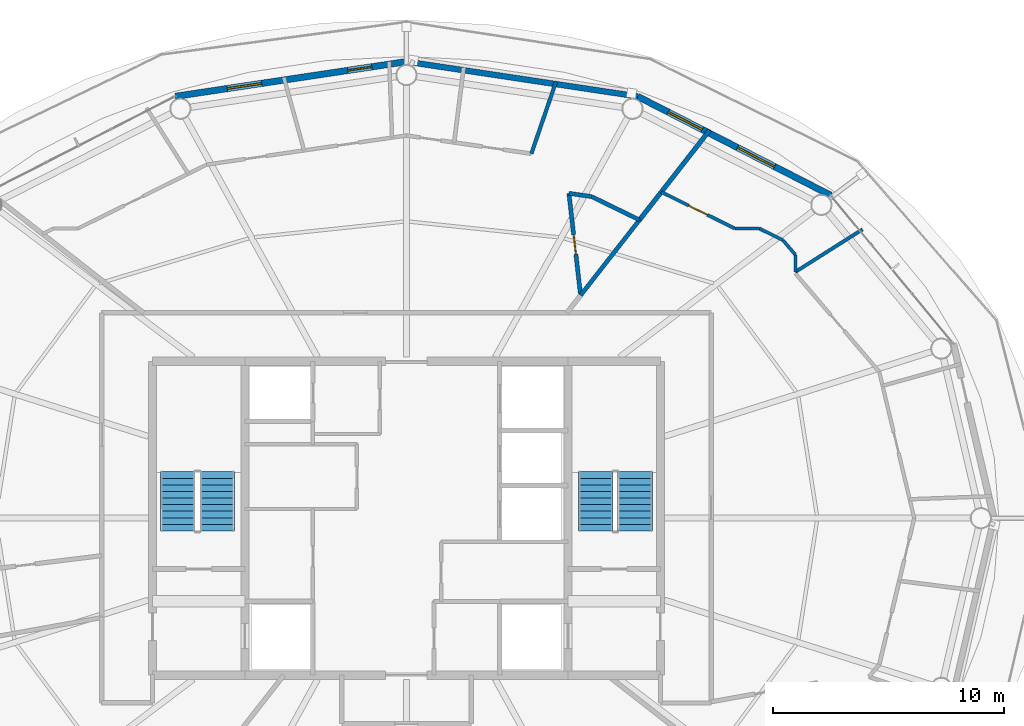
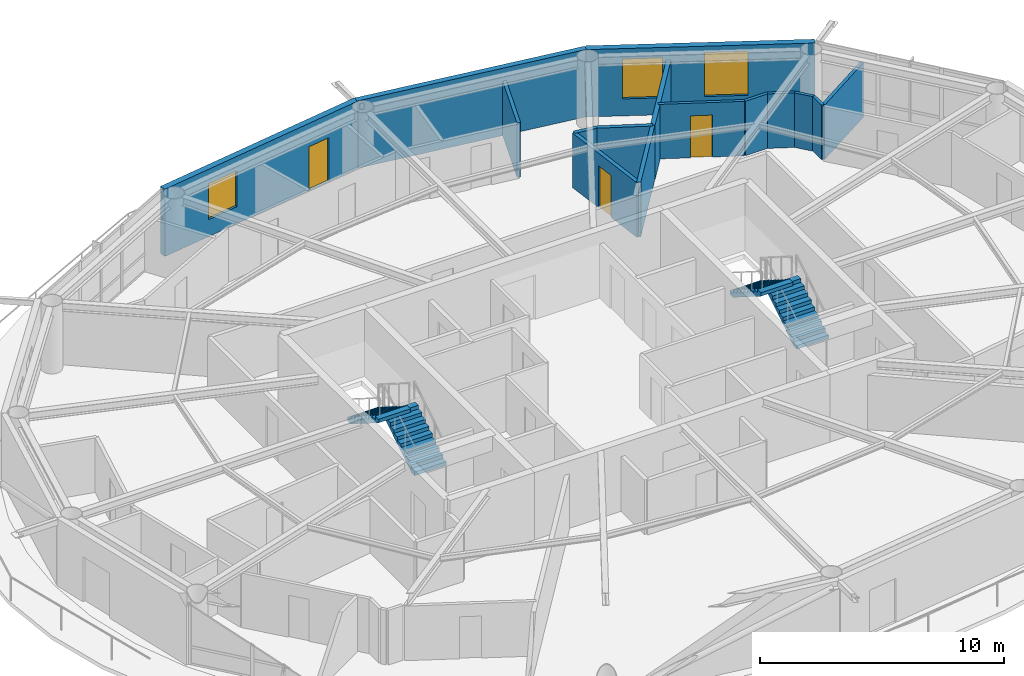
# One storey, part 19 of 22: 15 walls, 4 stair flights, 3 doors, 3 windows, 6 openings, 2 elements without a shape of their own.
"""IFC4 building model written with IfcOpenShell, lengths in metres."""

from ifc_helpers import new_model, si_unit, direction, frame, frame_2d, origin, place, context, subcontext, project, spatial, polyline, rectangle, outline, extrude, material, layer, layer_set, type_object, element, fill, aggregate, save


model = new_model("IFC4")

# Units and contexts
model_context = context("Model", 3, precision=1e-05, world=origin(), true_north=direction((0.0, 1.0)))
body_context = subcontext(model_context, "Body", "Model", "MODEL_VIEW")
ifc_project = project(units=[si_unit("LENGTHUNIT", "METRE"), si_unit("AREAUNIT", "SQUARE_METRE"), si_unit("VOLUMEUNIT", "CUBIC_METRE"), si_unit("PLANEANGLEUNIT", "RADIAN"), si_unit("MASSUNIT", "GRAM", prefix="KILO")], contexts=[model_context])

# Site, building, storey
site_placement = place(None, origin())
site = spatial("IfcSite", under=ifc_project, at=site_placement, CompositionType="ELEMENT")
building_placement = place(site_placement, origin())
building = spatial("IfcBuilding", under=site, at=building_placement, Name="Sarneth Arch Tower", CompositionType="ELEMENT")
storey_placement = place(building_placement, frame((0.0, 0.0, 301.800048828125)))
storey = spatial("IfcBuildingStorey", under=building, at=storey_placement, Name="L78", CompositionType="ELEMENT", Elevation=301.800048828125)

# Wall
ifc_material_1 = material(Name="Extruded terracotta rainscreen on Concrete C40/50 backing", Category="masonry")
ifc_layer_1 = layer(ifc_material_1, 0.25)
ifc_layer_set_1 = layer_set([ifc_layer_1], Name="Extruded terracotta rainscreen on Concrete C40/50 backing")
wall_type_1 = type_object("IfcWallType", Name="WALL-EXT-SPAND-250", PredefinedType="SOLIDWALL", material=ifc_layer_set_1)
wall_1_placement = place(storey_placement, frame((58.0126953125, 60.2744140625, 0.0), z_axis=(0.0, 0.0, 1.0), x_axis=(-0.988882522213, 0.148698881169, 0.0)))
element("IfcWall", 1, at=wall_1_placement, inside=storey, type_object=wall_type_1, Name="L78 Terracotta perimeter wall 04", PredefinedType="SOLIDWALL", context=body_context, shape_type="SweptSolid", body=[
    extrude(rectangle(XDim=10.125244140625, YDim=0.25, at=frame_2d((5.0625, 0.0))), origin(), (0.0, 0.0, 1.0), 3.369873046875),
])

# Wall, openings, windows
ifc_material_2 = material(Name="Extruded terracotta rainscreen on Concrete C40/50 backing", Category="masonry")
ifc_layer_2 = layer(ifc_material_2, 0.280029296875)
ifc_layer_set_2 = layer_set([ifc_layer_2], Name="Extruded terracotta rainscreen on Concrete C40/50 backing")
wall_type_2 = type_object("IfcWallType", Name="WALL-EXT-TERRA-280", PredefinedType="SOLIDWALL", material=ifc_layer_set_2)
wall_2_placement = place(storey_placement, frame((66.382568359375, 55.986572265625, 0.0), z_axis=(0.0, 0.0, 1.0), x_axis=(-0.890007394051, 0.455946091699, 0.0)))
wall_2 = element("IfcWall", 2, at=wall_2_placement, inside=storey, type_object=wall_type_2, Name="L78 Terracotta perimeter wall 03", PredefinedType="SOLIDWALL", context=body_context, shape_type="SweptSolid", body=[
    extrude(rectangle(XDim=9.404296875, YDim=0.280029296875, at=frame_2d((4.7021484375, 0.0))), origin(), (0.0, 0.0, 1.0), 3.369873046875),
])
opening_1_placement = place(wall_2_placement, frame((2.742431640625, 0.0, 0.85009765625)))
opening_1 = element("IfcOpeningElement", 3, at=opening_1_placement, cuts=wall_2, Name="Opening W-04", PredefinedType="OPENING", context=body_context, shape_type="SweptSolid", body=[
    extrude(rectangle(XDim=1.800048828125, YDim=2.199951171875, at=frame_2d((0.89990234375, 1.10009765625))), frame((0.0, 0.14990234375, 0.0), z_axis=(0.0, -1.0, 0.0), x_axis=(1.0, 0.0, 0.0)), (0.0, 0.0, 1.0), 0.300048828125),
])
opening_2_placement = place(wall_2_placement, frame((6.25830078125, 0.0, 0.85009765625)))
opening_2 = element("IfcOpeningElement", 4, at=opening_2_placement, cuts=wall_2, Name="Opening W-05", PredefinedType="OPENING", context=body_context, shape_type="SweptSolid", body=[
    extrude(rectangle(XDim=1.64990234375, YDim=2.0, at=frame_2d((0.824951171875, 1.0))), frame((0.0, 0.14990234375, 0.0), z_axis=(0.0, -1.0, 0.0), x_axis=(1.0, 0.0, 0.0)), (0.0, 0.0, 1.0), 0.300048828125),
])
ifc_material_3 = material(Name="Thermally broken Aluminium 6063-T6 and low-e laminated IGU", Category="aluminium")
window_type_1 = type_object("IfcWindowType", Name="WIN-TWR-1650x2000", PartitioningType="DOUBLE_PANEL_VERTICAL", PredefinedType="WINDOW", material=ifc_material_3)
window_1_placement = place(opening_2_placement, origin())
window_1 = element("IfcWindow", 5, at=window_1_placement, inside=storey, type_object=window_type_1, Name="L78 Exterior window 03B", OverallHeight=2.0, OverallWidth=1.64990234375, PartitioningType="SINGLE_PANEL", PredefinedType="WINDOW", context=body_context, shape_type="SweptSolid", body=[
    extrude(rectangle(XDim=1.64990234375, YDim=2.0, at=frame_2d((0.824951171875, 1.0))), frame((0.0, 0.030029296875, 0.0), z_axis=(0.0, -1.0, 0.0), x_axis=(1.0, 0.0, 0.0)), (0.0, 0.0, 1.0), 0.06005859375),
])
fill(opening_2, window_1)
ifc_material_4 = material(Name="Thermally broken Aluminium 6063-T6 and low-e laminated IGU", Category="aluminium")
window_type_2 = type_object("IfcWindowType", Name="WIN-TWR-1800x2200", PartitioningType="DOUBLE_PANEL_VERTICAL", PredefinedType="WINDOW", material=ifc_material_4)
window_2_placement = place(opening_1_placement, origin())
window_2 = element("IfcWindow", 6, at=window_2_placement, inside=storey, type_object=window_type_2, Name="L78 Exterior window 03A", OverallHeight=2.199951171875, OverallWidth=1.800048828125, PartitioningType="SINGLE_PANEL", PredefinedType="WINDOW", context=body_context, shape_type="SweptSolid", body=[
    extrude(rectangle(XDim=1.800048828125, YDim=2.199951171875, at=frame_2d((0.89990234375, 1.10009765625))), frame((0.0, 0.030029296875, 0.0), z_axis=(0.0, -1.0, 0.0), x_axis=(1.0, 0.0, 0.0)), (0.0, 0.0, 1.0), 0.06005859375),
])
fill(opening_1, window_2)

# Wall, openings, door, window
wall_3_placement = place(storey_placement, frame((48.0, 61.780029296875, 0.0), z_axis=(0.0, 0.0, 1.0), x_axis=(-0.988882522213, -0.148698881169, 0.0)))
wall_3 = element("IfcWall", 7, at=wall_3_placement, inside=storey, type_object=wall_type_2, Name="L78 Terracotta perimeter wall 05", PredefinedType="SOLIDWALL", context=body_context, shape_type="SweptSolid", body=[
    extrude(rectangle(XDim=10.125244140625, YDim=0.280029296875, at=frame_2d((5.0625, 0.0))), origin(), (0.0, 0.0, 1.0), 3.369873046875),
])
opening_3_placement = place(wall_3_placement, frame((1.51611328125, 0.0, 0.0)))
opening_3 = element("IfcOpeningElement", 8, at=opening_3_placement, cuts=wall_3, Name="Opening BD-4", PredefinedType="OPENING", context=body_context, shape_type="SweptSolid", body=[
    extrude(rectangle(XDim=1.050048828125, YDim=2.199951171875, at=frame_2d((0.52490234375, 1.10009765625))), frame((0.0, 0.14990234375, 0.0), z_axis=(0.0, -1.0, 0.0), x_axis=(1.0, 0.0, 0.0)), (0.0, 0.0, 1.0), 0.300048828125),
])
opening_4_placement = place(wall_3_placement, frame((6.34521484375, 0.0, 0.85009765625)))
opening_4 = element("IfcOpeningElement", 9, at=opening_4_placement, cuts=wall_3, Name="Opening W-07", PredefinedType="OPENING", context=body_context, shape_type="SweptSolid", body=[
    extrude(rectangle(XDim=1.5, YDim=1.800048828125, at=frame_2d((0.75, 0.89990234375))), frame((0.0, 0.14990234375, 0.0), z_axis=(0.0, -1.0, 0.0), x_axis=(1.0, 0.0, 0.0)), (0.0, 0.0, 1.0), 0.300048828125),
])
ifc_material_5 = material(Name="Thermally broken Aluminium 6063-T6 and laminated safety glass", Category="aluminium")
door_type_1 = type_object("IfcDoorType", Name="DR-BALC-GLZ-1050", OperationType="SINGLE_SWING_RIGHT", PredefinedType="DOOR", material=ifc_material_5)
door_1_placement = place(opening_3_placement, origin())
door_1 = element("IfcDoor", 10, at=door_1_placement, inside=storey, type_object=door_type_1, Name="L78 Balcony glazed door 05", OperationType="SINGLE_SWING_RIGHT", OverallHeight=2.199951171875, OverallWidth=1.050048828125, PredefinedType="DOOR", context=body_context, shape_type="SweptSolid", body=[
    extrude(rectangle(XDim=1.050048828125, YDim=2.199951171875, at=frame_2d((0.52490234375, 1.10009765625))), frame((0.0, 0.02490234375, 0.0), z_axis=(0.0, -1.0, 0.0), x_axis=(1.0, 0.0, 0.0)), (0.0, 0.0, 1.0), 0.050048828125),
])
fill(opening_3, door_1)
ifc_material_6 = material(Name="Thermally broken Aluminium 6063-T6 and low-e laminated IGU", Category="aluminium")
window_type_3 = type_object("IfcWindowType", Name="WIN-TWR-1500x1800", PartitioningType="SINGLE_PANEL", PredefinedType="WINDOW", material=ifc_material_6)
window_3_placement = place(opening_4_placement, origin())
window_3 = element("IfcWindow", 11, at=window_3_placement, inside=storey, type_object=window_type_3, Name="L78 Exterior window 05A", OverallHeight=1.800048828125, OverallWidth=1.5, PartitioningType="SINGLE_PANEL", PredefinedType="WINDOW", context=body_context, shape_type="SweptSolid", body=[
    extrude(rectangle(XDim=1.5, YDim=1.800048828125, at=frame_2d((0.75, 0.89990234375))), frame((0.0, 0.030029296875, 0.0), z_axis=(0.0, -1.0, 0.0), x_axis=(1.0, 0.0, 0.0)), (0.0, 0.0, 1.0), 0.06005859375),
])
fill(opening_4, window_3)

# Wall, opening, door
ifc_material_7 = material(Name="Apartment internal stud partition", Category="gypsum")
ifc_layer_3 = layer(ifc_material_7, 0.139892578125)
ifc_layer_set_3 = layer_set([ifc_layer_3], Name="Apartment internal stud partition")
wall_type_3 = type_object("IfcWallType", Name="WALL-PART-140", PredefinedType="PARTITIONING", material=ifc_layer_set_3)
wall_4_placement = place(storey_placement, frame((62.226806640625, 54.550048828125, 0.0), z_axis=(0.0, 0.0, 1.0), x_axis=(-0.895591084679, 0.444878195739, 0.0)))
wall_4 = element("IfcWall", 12, at=wall_4_placement, inside=storey, type_object=wall_type_3, Name="L78 Interior partition W-L78-TP-077", PredefinedType="PARTITIONING", context=body_context, shape_type="SweptSolid", body=[
    extrude(rectangle(XDim=3.556640625, YDim=0.139892578125, at=frame_2d((1.7783203125, 0.0))), origin(), (0.0, 0.0, 1.0), 2.72998046875),
])
opening_5_placement = place(wall_4_placement, frame((1.328369140625, 0.0, 0.0)))
opening_5 = element("IfcOpeningElement", 13, at=opening_5_placement, cuts=wall_4, Name="Opening ID-01", PredefinedType="OPENING", context=body_context, shape_type="SweptSolid", body=[
    extrude(rectangle(XDim=0.89990234375, YDim=2.10009765625, at=frame_2d((0.449951171875, 1.050048828125))), frame((0.0, 0.079833984375, 0.0), z_axis=(0.0, -1.0, 0.0), x_axis=(1.0, 0.0, 0.0)), (0.0, 0.0, 1.0), 0.159912109375),
])
ifc_material_8 = material(Name="Engineered hardwood flush door", Category="wood")
door_type_2 = type_object("IfcDoorType", Name="DR-INT-900", OperationType="SINGLE_SWING_LEFT", PredefinedType="DOOR", material=ifc_material_8)
door_2_placement = place(opening_5_placement, origin())
door_2 = element("IfcDoor", 14, at=door_2_placement, inside=storey, type_object=door_type_2, Name="L78 Interior door DR-L78-U4-BED3", OperationType="SINGLE_SWING_LEFT", OverallHeight=2.10009765625, OverallWidth=0.89990234375, PredefinedType="DOOR", context=body_context, shape_type="SweptSolid", body=[
    extrude(rectangle(XDim=0.89990234375, YDim=2.10009765625, at=frame_2d((0.449951171875, 1.050048828125))), frame((0.0, 0.02490234375, 0.0), z_axis=(0.0, -1.0, 0.0), x_axis=(1.0, 0.0, 0.0)), (0.0, 0.0, 1.0), 0.050048828125),
])
fill(opening_5, door_2)

# Walls
wall_5_placement = place(storey_placement, frame((64.31103515625, 54.0419921875, 0.0), z_axis=(0.0, 0.0, 1.0), x_axis=(-0.895409226325, 0.445244109912, 0.0)))
element("IfcWall", 15, at=wall_5_placement, inside=storey, type_object=wall_type_3, Name="L78 Interior partition W-L78-TP-075", PredefinedType="PARTITIONING", context=body_context, shape_type="SweptSolid", body=[
    extrude(rectangle(XDim=1.14111328125, YDim=0.139892578125, at=frame_2d((0.570556640625, 0.0))), origin(), (0.0, 0.0, 1.0), 2.72998046875),
])
wall_6_placement = place(storey_placement, frame((63.289306640625, 54.550048828125, 0.0), z_axis=(0.0, 0.0, 1.0), x_axis=(-1.0, 0.0, 0.0)))
element("IfcWall", 16, at=wall_6_placement, inside=storey, type_object=wall_type_3, Name="L78 Interior partition W-L78-TP-076", PredefinedType="PARTITIONING", context=body_context, shape_type="SweptSolid", body=[
    extrude(rectangle(XDim=1.0625, YDim=0.139892578125, at=frame_2d((0.53125, 0.0))), origin(), (0.0, 0.0, 1.0), 2.72998046875),
])
wall_7_placement = place(storey_placement, frame((64.85009765625, 53.410400390625, 0.0), z_axis=(0.0, 0.0, 1.0), x_axis=(-0.649191857323, 0.760624698774, 0.0)))
element("IfcWall", 17, at=wall_7_placement, inside=storey, type_object=wall_type_3, Name="L78 Interior partition W-L78-TP-074", PredefinedType="PARTITIONING", context=body_context, shape_type="SweptSolid", body=[
    extrude(rectangle(XDim=0.830322265625, YDim=0.139892578125, at=frame_2d((0.4150390625, 0.0))), origin(), (0.0, 0.0, 1.0), 2.72998046875),
])
wall_8_placement = place(storey_placement, frame((64.85009765625, 52.671875, 0.0), z_axis=(0.0, 0.0, 1.0), x_axis=(0.0, 1.0, 0.0)))
element("IfcWall", 18, at=wall_8_placement, inside=storey, type_object=wall_type_3, Name="L78 Interior partition W-L78-TP-073", PredefinedType="PARTITIONING", context=body_context, shape_type="SweptSolid", body=[
    extrude(rectangle(XDim=0.738525390625, YDim=0.139892578125, at=frame_2d((0.369140625, 0.0))), origin(), (0.0, 0.0, 1.0), 2.72998046875),
])
ifc_material_9 = material(Name="Acoustic gypsum stud partition", Category="gypsum")
ifc_layer_4 = layer(ifc_material_9, 0.14990234375)
ifc_layer_set_4 = layer_set([ifc_layer_4], Name="Acoustic gypsum stud partition")
wall_type_4 = type_object("IfcWallType", Name="WALL-PART-150", PredefinedType="PARTITIONING", material=ifc_layer_set_4)
wall_9_placement = place(storey_placement, frame((64.85009765625, 52.671875, 0.0), z_axis=(0.0, 0.0, 1.0), x_axis=(0.84478165195, 0.535111166515, 0.0)))
element("IfcWall", 19, at=wall_9_placement, inside=storey, type_object=wall_type_4, Name="L78 Interior partition W-L78-TP-081", PredefinedType="PARTITIONING", context=body_context, shape_type="SweptSolid", body=[
    extrude(rectangle(XDim=3.4404296875, YDim=0.14990234375, at=frame_2d((1.72021484375, 0.0))), origin(), (0.0, 0.0, 1.0), 2.72998046875),
])
ifc_material_10 = material(Name="Kitchen wet service chase wall", Category="gypsum")
ifc_layer_5 = layer(ifc_material_10, 0.159912109375)
ifc_layer_set_5 = layer_set([ifc_layer_5], Name="Kitchen wet service chase wall")
wall_type_5 = type_object("IfcWallType", Name="WALL-PLUMB-160", PredefinedType="PLUMBINGWALL", material=ifc_layer_set_5)
wall_10_placement = place(storey_placement, frame((54.485595703125, 60.924072265625, 0.0), z_axis=(0.0, 0.0, 1.0), x_axis=(-0.324177330806, -0.945996330961, 0.0)))
element("IfcWall", 20, at=wall_10_placement, inside=storey, type_object=wall_type_5, Name="L78 Interior partition W-L78-TP-017", PredefinedType="PLUMBINGWALL", context=body_context, shape_type="SweptSolid", body=[
    extrude(rectangle(XDim=3.312255859375, YDim=0.159912109375, at=frame_2d((1.65625, 0.0))), origin(), (0.0, 0.0, 1.0), 2.72998046875),
])

# Wall, opening, door
ifc_material_11 = material(Name="Moisture-resistant plumbing chase wall", Category="gypsum")
ifc_layer_6 = layer(ifc_material_11, 0.179931640625)
ifc_layer_set_6 = layer_set([ifc_layer_6], Name="Moisture-resistant plumbing chase wall")
wall_type_6 = type_object("IfcWallType", Name="WALL-PLUMB-180", PredefinedType="PLUMBINGWALL", material=ifc_layer_set_6)
wall_11_placement = place(storey_placement, frame((55.54443359375, 51.65625, 0.0), z_axis=(0.0, 0.0, 1.0), x_axis=(-0.113517162422, 0.993536035499, 0.0)))
wall_11 = element("IfcWall", 21, at=wall_11_placement, inside=storey, type_object=wall_type_6, Name="L78 Interior partition W-L78-TP-019", PredefinedType="PLUMBINGWALL", context=body_context, shape_type="SweptSolid", body=[
    extrude(rectangle(XDim=4.445556640625, YDim=0.179931640625, at=frame_2d((2.22265625, 0.0))), origin(), (0.0, 0.0, 1.0), 2.72998046875),
])
opening_6_placement = place(wall_11_placement, frame((1.797607421875, 0.0, 0.0)))
opening_6 = element("IfcOpeningElement", 22, at=opening_6_placement, cuts=wall_11, Name="Opening ID-02", PredefinedType="OPENING", context=body_context, shape_type="SweptSolid", body=[
    extrude(rectangle(XDim=0.85009765625, YDim=2.10009765625, at=frame_2d((0.425048828125, 1.050048828125))), frame((0.0, 0.099853515625, 0.0), z_axis=(0.0, -1.0, 0.0), x_axis=(1.0, 0.0, 0.0)), (0.0, 0.0, 1.0), 0.199951171875),
])
ifc_material_12 = material(Name="Moisture-resistant bathroom timber door", Category="wood")
door_type_3 = type_object("IfcDoorType", Name="DR-INT-850", OperationType="SINGLE_SWING_RIGHT", PredefinedType="DOOR", material=ifc_material_12)
door_3_placement = place(opening_6_placement, origin())
door_3 = element("IfcDoor", 23, at=door_3_placement, inside=storey, type_object=door_type_3, Name="L78 Interior door DR-L78-U1-BATH", OperationType="SINGLE_SWING_LEFT", OverallHeight=2.10009765625, OverallWidth=0.85009765625, PredefinedType="DOOR", context=body_context, shape_type="SweptSolid", body=[
    extrude(rectangle(XDim=0.85009765625, YDim=2.10009765625, at=frame_2d((0.425048828125, 1.050048828125))), frame((0.0, 0.02490234375, 0.0), z_axis=(0.0, -1.0, 0.0), x_axis=(1.0, 0.0, 0.0)), (0.0, 0.0, 1.0), 0.050048828125),
])
fill(opening_6, door_3)

# Walls
wall_12_placement = place(storey_placement, frame((58.095947265625, 54.922119140625, 0.0), z_axis=(0.0, 0.0, 1.0), x_axis=(-0.615652044057, -0.788018122031, 0.0)))
element("IfcWall", 24, at=wall_12_placement, inside=storey, type_object=wall_type_6, Name="L78 Interior partition W-L78-TP-034", PredefinedType="PLUMBINGWALL", context=body_context, shape_type="SweptSolid", body=[
    extrude(rectangle(XDim=4.144287109375, YDim=0.179931640625, at=frame_2d((2.072265625, 0.0))), origin(), (0.0, 0.0, 1.0), 2.72998046875),
])
wall_13_placement = place(storey_placement, frame((56.02392578125, 55.93212890625, 0.0), z_axis=(0.0, 0.0, 1.0), x_axis=(0.898893612682, -0.438166946585, 0.0)))
element("IfcWall", 25, at=wall_13_placement, inside=storey, type_object=wall_type_6, Name="L78 Interior partition W-L78-TP-021", PredefinedType="PLUMBINGWALL", context=body_context, shape_type="SweptSolid", body=[
    extrude(rectangle(XDim=2.30517578125, YDim=0.179931640625, at=frame_2d((1.152587890625, 0.0))), origin(), (0.0, 0.0, 1.0), 2.72998046875),
])
wall_14_placement = place(storey_placement, frame((55.039794921875, 56.072998046875, 0.0), z_axis=(0.0, 0.0, 1.0), x_axis=(0.989910163558, -0.141696394039, 0.0)))
element("IfcWall", 26, at=wall_14_placement, inside=storey, type_object=wall_type_6, Name="L78 Interior partition W-L78-TP-020", PredefinedType="PLUMBINGWALL", context=body_context, shape_type="SweptSolid", body=[
    extrude(rectangle(XDim=0.994140625, YDim=0.179931640625, at=frame_2d((0.4970703125, 0.0))), origin(), (0.0, 0.0, 1.0), 2.72998046875),
])
ifc_material_13 = material(Name="Double steel-stud acoustic drywall", Category="steel")
ifc_layer_7 = layer(ifc_material_13, 0.199951171875)
ifc_layer_set_7 = layer_set([ifc_layer_7], Name="Double steel-stud acoustic drywall")
wall_type_7 = type_object("IfcWallType", Name="WALL-UNIT-200", PredefinedType="PARTITIONING", material=ifc_layer_set_7)
wall_15_placement = place(storey_placement, frame((58.095947265625, 54.92236328125, 0.0), z_axis=(0.0, 0.0, 1.0), x_axis=(0.615676703635, 0.78799885571, 0.0)))
element("IfcWall", 27, at=wall_15_placement, inside=storey, type_object=wall_type_7, Name="L78 Interior partition W-L78-TP-031", PredefinedType="PARTITIONING", context=body_context, shape_type="SweptSolid", body=[
    extrude(rectangle(XDim=4.931884765625, YDim=0.199951171875, at=frame_2d((2.4658203125, 0.0))), origin(), (0.0, 0.0, 1.0), 2.72998046875),
])

# Stair, stair flights
ifc_material_14 = material(Name="Concrete C50/60", Category="concrete")
stair_type = type_object("IfcStairType", Name="STAIR-CORE-RC", PredefinedType="HALF_TURN_STAIR", material=ifc_material_14)
stair_1_placement = place(storey_placement, origin())
stair_1 = element("IfcStair", 28, at=stair_1_placement, inside=storey, type_object=stair_type, Name="L78 Core Exit Stair 1", PredefinedType="HALF_TURN_STAIR")
ifc_material_15 = material(Name="Concrete C50/60", Category="concrete")
stair_flight_type = type_object("IfcStairFlightType", Name="FLIGHT-RC-1500", PredefinedType="STRAIGHT", material=ifc_material_15)
stair_flight_1_placement = place(storey_placement, frame((39.800048828125, 41.449951171875, 0.0), z_axis=(0.0, 0.0, 1.0), x_axis=(0.0, 1.0, 0.0)))
stair_flight_1 = element("IfcStairFlight", 29, at=stair_flight_1_placement, type_object=stair_flight_type, Name="ST-1 flight 1", NumberOfRisers=10, NumberOfTreads=9, PredefinedType="STRAIGHT", RiserHeight=0.18, TreadLength=0.285, context=body_context, shape_type="SweptSolid", body=[
    extrude(outline(polyline([(0.0, 0.0), (0.0, 0.179931640625), (0.284912109375, 0.179931640625), (0.284912109375, 0.360107421875), (0.570068359375, 0.360107421875), (0.570068359375, 0.5400390625), (0.85498046875, 0.5400390625), (0.85498046875, 0.719970703125), (1.139892578125, 0.719970703125), (1.139892578125, 0.89990234375), (1.425048828125, 0.89990234375), (1.425048828125, 1.080078125), (1.7099609375, 1.080078125), (1.7099609375, 1.260009765625), (1.9951171875, 1.260009765625), (1.9951171875, 1.43994140625), (2.280029296875, 1.43994140625), (2.280029296875, 1.6201171875), (2.56494140625, 1.6201171875), (2.56494140625, 1.800048828125), (2.56494140625, 1.442626953125), (0.28076171875, 0.0), (0.0, 0.0)])), frame((0.0, 0.75, 0.0), z_axis=(0.0, -1.0, 0.0), x_axis=(1.0, 0.0, 0.0)), (0.0, 0.0, 1.0), 1.5),
])
stair_flight_2_placement = place(storey_placement, frame((38.10009765625, 44.014892578125, 1.800048828125), z_axis=(0.0, 0.0, 1.0), x_axis=(0.0, -1.0, 0.0)))
stair_flight_2 = element("IfcStairFlight", 30, at=stair_flight_2_placement, type_object=stair_flight_type, Name="ST-1 flight 2", NumberOfRisers=10, NumberOfTreads=9, PredefinedType="STRAIGHT", RiserHeight=0.18, TreadLength=0.285, context=body_context, shape_type="SweptSolid", body=[
    extrude(outline(polyline([(0.0, 0.0), (0.0, 0.179931640625), (0.284912109375, 0.179931640625), (0.284912109375, 0.360107421875), (0.570068359375, 0.360107421875), (0.570068359375, 0.5400390625), (0.85498046875, 0.5400390625), (0.85498046875, 0.719970703125), (1.139892578125, 0.719970703125), (1.139892578125, 0.89990234375), (1.425048828125, 0.89990234375), (1.425048828125, 1.080078125), (1.7099609375, 1.080078125), (1.7099609375, 1.260009765625), (1.9951171875, 1.260009765625), (1.9951171875, 1.43994140625), (2.280029296875, 1.43994140625), (2.280029296875, 1.6201171875), (2.56494140625, 1.6201171875), (2.56494140625, 1.800048828125), (2.56494140625, 1.442626953125), (0.28076171875, 0.0), (0.0, 0.0)])), frame((0.0, 0.75, 0.0), z_axis=(0.0, -1.0, 0.0), x_axis=(1.0, 0.0, 0.0)), (0.0, 0.0, 1.0), 1.5),
])
aggregate(stair_1, [stair_flight_1, stair_flight_2])

stair_2_placement = place(storey_placement, origin())
stair_2 = element("IfcStair", 31, at=stair_2_placement, inside=storey, type_object=stair_type, Name="L78 Core Exit Stair 2", PredefinedType="HALF_TURN_STAIR")
stair_flight_3_placement = place(storey_placement, frame((57.89990234375, 41.449951171875, 0.0), z_axis=(0.0, 0.0, 1.0), x_axis=(0.0, 1.0, 0.0)))
stair_flight_3 = element("IfcStairFlight", 32, at=stair_flight_3_placement, type_object=stair_flight_type, Name="ST-2 flight 1", NumberOfRisers=10, NumberOfTreads=9, PredefinedType="STRAIGHT", RiserHeight=0.18, TreadLength=0.285, context=body_context, shape_type="SweptSolid", body=[
    extrude(outline(polyline([(0.0, 0.0), (0.0, 0.179931640625), (0.284912109375, 0.179931640625), (0.284912109375, 0.360107421875), (0.570068359375, 0.360107421875), (0.570068359375, 0.5400390625), (0.85498046875, 0.5400390625), (0.85498046875, 0.719970703125), (1.139892578125, 0.719970703125), (1.139892578125, 0.89990234375), (1.425048828125, 0.89990234375), (1.425048828125, 1.080078125), (1.7099609375, 1.080078125), (1.7099609375, 1.260009765625), (1.9951171875, 1.260009765625), (1.9951171875, 1.43994140625), (2.280029296875, 1.43994140625), (2.280029296875, 1.6201171875), (2.56494140625, 1.6201171875), (2.56494140625, 1.800048828125), (2.56494140625, 1.442626953125), (0.28076171875, 0.0), (0.0, 0.0)])), frame((0.0, 0.75, 0.0), z_axis=(0.0, -1.0, 0.0), x_axis=(1.0, 0.0, 0.0)), (0.0, 0.0, 1.0), 1.5),
])
stair_flight_4_placement = place(storey_placement, frame((56.199951171875, 44.014892578125, 1.800048828125), z_axis=(0.0, 0.0, 1.0), x_axis=(0.0, -1.0, 0.0)))
stair_flight_4 = element("IfcStairFlight", 33, at=stair_flight_4_placement, type_object=stair_flight_type, Name="ST-2 flight 2", NumberOfRisers=10, NumberOfTreads=9, PredefinedType="STRAIGHT", RiserHeight=0.18, TreadLength=0.285, context=body_context, shape_type="SweptSolid", body=[
    extrude(outline(polyline([(0.0, 0.0), (0.0, 0.179931640625), (0.284912109375, 0.179931640625), (0.284912109375, 0.360107421875), (0.570068359375, 0.360107421875), (0.570068359375, 0.5400390625), (0.85498046875, 0.5400390625), (0.85498046875, 0.719970703125), (1.139892578125, 0.719970703125), (1.139892578125, 0.89990234375), (1.425048828125, 0.89990234375), (1.425048828125, 1.080078125), (1.7099609375, 1.080078125), (1.7099609375, 1.260009765625), (1.9951171875, 1.260009765625), (1.9951171875, 1.43994140625), (2.280029296875, 1.43994140625), (2.280029296875, 1.6201171875), (2.56494140625, 1.6201171875), (2.56494140625, 1.800048828125), (2.56494140625, 1.442626953125), (0.28076171875, 0.0), (0.0, 0.0)])), frame((0.0, 0.75, 0.0), z_axis=(0.0, -1.0, 0.0), x_axis=(1.0, 0.0, 0.0)), (0.0, 0.0, 1.0), 1.5),
])
aggregate(stair_2, [stair_flight_3, stair_flight_4])

save(model, "model.ifc")
